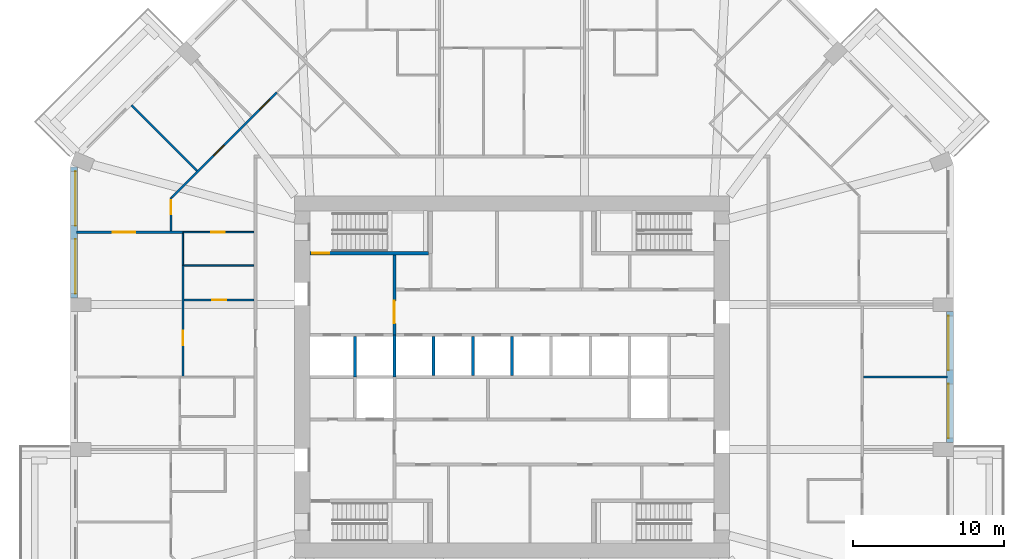
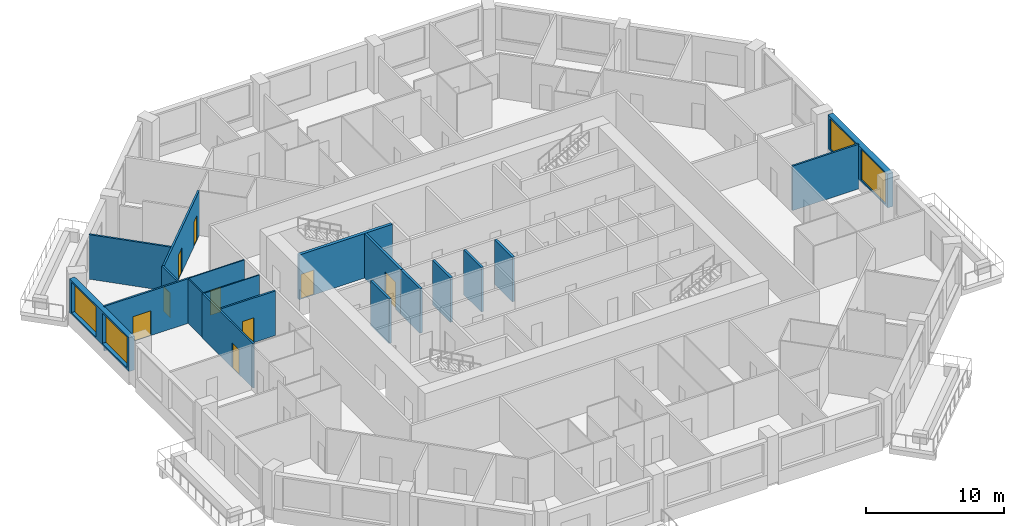
# One storey, part 7 of 13: 19 walls, 9 doors, 4 windows, 13 openings.
"""IFC4 building model written with IfcOpenShell, lengths in metres."""

from ifc_helpers import new_model, si_unit, direction, frame, frame_2d, origin, place, context, subcontext, project, spatial, rectangle, extrude, material, layer, layer_set, type_object, element, fill, save


model = new_model("IFC4")

# Units and contexts
model_context = context("Model", 3, precision=1e-05, world=origin(), true_north=direction((0.0, 1.0)))
body_context = subcontext(model_context, "Body", "Model", "MODEL_VIEW")
ifc_project = project(units=[si_unit("LENGTHUNIT", "METRE"), si_unit("AREAUNIT", "SQUARE_METRE"), si_unit("VOLUMEUNIT", "CUBIC_METRE"), si_unit("PLANEANGLEUNIT", "RADIAN"), si_unit("MASSUNIT", "GRAM", prefix="KILO")], contexts=[model_context])

# Site, building, storey
site_placement = place(None, origin())
site = spatial("IfcSite", under=ifc_project, at=site_placement, CompositionType="ELEMENT")
building_placement = place(site_placement, origin())
building = spatial("IfcBuilding", under=site, at=building_placement, Name="Msitu Wima Residences", CompositionType="ELEMENT")
storey_placement = place(building_placement, frame((0.0, 0.0, 84.300048828125)))
storey = spatial("IfcBuildingStorey", under=building, at=storey_placement, Name="L19", CompositionType="ELEMENT", Elevation=84.300048828125)

# Wall, openings, windows
ifc_material_1 = material(Name="Brick (red buff mix)", Category="masonry")
ifc_layer_1 = layer(ifc_material_1, 0.449951171875)
ifc_layer_set_1 = layer_set([ifc_layer_1], Name="Brick (red buff mix)")
wall_type_1 = type_object("IfcWallType", Name="Brick infill wall BW450", PredefinedType="SOLIDWALL", material=ifc_layer_set_1)
wall_1_placement = place(storey_placement, frame((29.02490234375, -4.35009765625, 0.89990234375), z_axis=(0.0, 0.0, 1.0), x_axis=(0.0, 1.0, 0.0)))
wall_1 = element("IfcWall", 1, at=wall_1_placement, inside=storey, type_object=wall_type_1, Name="Brick infill wall L19 E1", PredefinedType="SOLIDWALL", context=body_context, shape_type="SweptSolid", body=[
    extrude(rectangle(XDim=8.7001953125, YDim=0.449951171875, at=frame_2d((4.35009765625, 0.0))), origin(), (0.0, 0.0, 1.0), 3.0),
])
opening_1_placement = place(wall_1_placement, frame((0.300048828125, 0.0, 0.14990234375)))
opening_1 = element("IfcOpeningElement", 2, at=opening_1_placement, cuts=wall_1, Name="Opening W18-20.002", PredefinedType="OPENING", context=body_context, shape_type="SweptSolid", body=[
    extrude(rectangle(XDim=3.60009765625, YDim=2.699951171875, at=frame_2d((1.800048828125, 1.35009765625))), frame((0.0, 0.23486328125, 0.0), z_axis=(0.0, -1.0, 0.0), x_axis=(1.0, 0.0, 0.0)), (0.0, 0.0, 1.0), 0.469970703125),
])
opening_2_placement = place(wall_1_placement, frame((4.800048828125, 0.0, 0.14990234375)))
opening_2 = element("IfcOpeningElement", 3, at=opening_2_placement, cuts=wall_1, Name="Opening W18-20.003", PredefinedType="OPENING", context=body_context, shape_type="SweptSolid", body=[
    extrude(rectangle(XDim=3.60009765625, YDim=2.699951171875, at=frame_2d((1.800048828125, 1.35009765625))), frame((0.0, 0.23486328125, 0.0), z_axis=(0.0, -1.0, 0.0), x_axis=(1.0, 0.0, 0.0)), (0.0, 0.0, 1.0), 0.469970703125),
])
ifc_material_2 = material(Name="Anodised aluminium, bronze finish, clear low-emissivity double glazing", Category="aluminium")
window_type = type_object("IfcWindowType", Name="Window W3600x2700", PartitioningType="DOUBLE_PANEL_VERTICAL", PredefinedType="WINDOW", material=ifc_material_2)
window_1_placement = place(opening_1_placement, origin())
window_1 = element("IfcWindow", 4, at=window_1_placement, inside=storey, type_object=window_type, Name="Window L19 E1.1", OverallHeight=2.699951171875, OverallWidth=3.60009765625, PartitioningType="SINGLE_PANEL", PredefinedType="WINDOW", context=body_context, shape_type="SweptSolid", body=[
    extrude(rectangle(XDim=3.60009765625, YDim=2.699951171875, at=frame_2d((1.800048828125, 1.35009765625))), frame((0.0, 0.135009765625, 0.0), z_axis=(0.0, -1.0, 0.0), x_axis=(1.0, 0.0, 0.0)), (0.0, 0.0, 1.0), 0.06005859375),
])
fill(opening_1, window_1)
window_2_placement = place(opening_2_placement, origin())
window_2 = element("IfcWindow", 5, at=window_2_placement, inside=storey, type_object=window_type, Name="Window L19 E1.2", OverallHeight=2.699951171875, OverallWidth=3.60009765625, PartitioningType="SINGLE_PANEL", PredefinedType="WINDOW", context=body_context, shape_type="SweptSolid", body=[
    extrude(rectangle(XDim=3.60009765625, YDim=2.699951171875, at=frame_2d((1.800048828125, 1.35009765625))), frame((0.0, 0.135009765625, 0.0), z_axis=(0.0, -1.0, 0.0), x_axis=(1.0, 0.0, 0.0)), (0.0, 0.0, 1.0), 0.06005859375),
])
fill(opening_2, window_2)

wall_2_placement = place(storey_placement, frame((-29.02490234375, 13.912841796875, 0.89990234375), z_axis=(0.0, 0.0, 1.0), x_axis=(0.0, -1.0, 0.0)))
wall_2 = element("IfcWall", 6, at=wall_2_placement, inside=storey, type_object=wall_type_1, Name="Brick infill wall L19 W0", PredefinedType="SOLIDWALL", context=body_context, shape_type="SweptSolid", body=[
    extrude(rectangle(XDim=8.662841796875, YDim=0.449951171875, at=frame_2d((4.33154296875, 0.0))), origin(), (0.0, 0.0, 1.0), 3.0),
])
opening_3_placement = place(wall_2_placement, frame((0.281494140625, 0.0, 0.14990234375)))
opening_3 = element("IfcOpeningElement", 7, at=opening_3_placement, cuts=wall_2, Name="Opening W18-20.029", PredefinedType="OPENING", context=body_context, shape_type="SweptSolid", body=[
    extrude(rectangle(XDim=3.60009765625, YDim=2.699951171875, at=frame_2d((1.800048828125, 1.35009765625))), frame((0.0, 0.23486328125, 0.0), z_axis=(0.0, -1.0, 0.0), x_axis=(1.0, 0.0, 0.0)), (0.0, 0.0, 1.0), 0.469970703125),
])
opening_4_placement = place(wall_2_placement, frame((4.781494140625, 0.0, 0.14990234375)))
opening_4 = element("IfcOpeningElement", 8, at=opening_4_placement, cuts=wall_2, Name="Opening W18-20.030", PredefinedType="OPENING", context=body_context, shape_type="SweptSolid", body=[
    extrude(rectangle(XDim=3.60009765625, YDim=2.699951171875, at=frame_2d((1.800048828125, 1.35009765625))), frame((0.0, 0.23486328125, 0.0), z_axis=(0.0, -1.0, 0.0), x_axis=(1.0, 0.0, 0.0)), (0.0, 0.0, 1.0), 0.469970703125),
])
window_3_placement = place(opening_3_placement, origin())
window_3 = element("IfcWindow", 9, at=window_3_placement, inside=storey, type_object=window_type, Name="Window L19 W0.1", OverallHeight=2.699951171875, OverallWidth=3.60009765625, PartitioningType="SINGLE_PANEL", PredefinedType="WINDOW", context=body_context, shape_type="SweptSolid", body=[
    extrude(rectangle(XDim=3.60009765625, YDim=2.699951171875, at=frame_2d((1.800048828125, 1.35009765625))), frame((0.0, 0.135009765625, 0.0), z_axis=(0.0, -1.0, 0.0), x_axis=(1.0, 0.0, 0.0)), (0.0, 0.0, 1.0), 0.06005859375),
])
fill(opening_3, window_3)
window_4_placement = place(opening_4_placement, origin())
window_4 = element("IfcWindow", 10, at=window_4_placement, inside=storey, type_object=window_type, Name="Window L19 W0.2", OverallHeight=2.699951171875, OverallWidth=3.60009765625, PartitioningType="SINGLE_PANEL", PredefinedType="WINDOW", context=body_context, shape_type="SweptSolid", body=[
    extrude(rectangle(XDim=3.60009765625, YDim=2.699951171875, at=frame_2d((1.800048828125, 1.35009765625))), frame((0.0, 0.135009765625, 0.0), z_axis=(0.0, -1.0, 0.0), x_axis=(1.0, 0.0, 0.0)), (0.0, 0.0, 1.0), 0.06005859375),
])
fill(opening_4, window_4)

# Wall, opening, door
ifc_material_3 = material(Name="Plaster")
ifc_layer_2 = layer(ifc_material_3, 0.011962890625, Name="Plaster")
ifc_material_4 = material(Name="Concrete blockwork", Category="masonry")
ifc_layer_3 = layer(ifc_material_4, 0.176025390625, Name="Concrete blockwork")
ifc_layer_4 = layer(ifc_material_3, 0.011962890625, Name="Plaster")
ifc_layer_set_2 = layer_set([ifc_layer_2, ifc_layer_3, ifc_layer_4], Name="Concrete blockwork")
wall_type_2 = type_object("IfcWallType", Name="Corridor wall FW200", PredefinedType="PARTITIONING", material=ifc_layer_set_2)
wall_3_placement = place(storey_placement, frame((-7.800048828125, 2.800048828125, 0.0), z_axis=(0.0, 0.0, 1.0), x_axis=(0.0, 1.0, 0.0)))
wall_3 = element("IfcWall", 11, at=wall_3_placement, inside=storey, type_object=wall_type_2, Name="Corridor wall", PredefinedType="PARTITIONING", context=body_context, shape_type="SweptSolid", body=[
    extrude(rectangle(XDim=5.27490234375, YDim=0.199951171875, at=frame_2d((2.637451171875, 0.0))), origin(), (0.0, 0.0, 1.0), 3.949951171875),
])
opening_5_placement = place(wall_3_placement, frame((0.75, 0.0, 0.0)))
opening_5 = element("IfcOpeningElement", 12, at=opening_5_placement, cuts=wall_3, Name="Opening D18-20.013", PredefinedType="OPENING", context=body_context, shape_type="SweptSolid", body=[
    extrude(rectangle(XDim=1.5, YDim=2.39990234375, at=frame_2d((0.75, 1.199951171875))), frame((0.0, 0.10986328125, 0.0), z_axis=(0.0, -1.0, 0.0), x_axis=(1.0, 0.0, 0.0)), (0.0, 0.0, 1.0), 0.219970703125),
])
ifc_material_5 = material(Name="Steel framed glazed door, fire resisting", Category="steel")
door_type_1 = type_object("IfcDoorType", Name="Lobby door D07 1500x2400", OperationType="DOUBLE_DOOR_SINGLE_SWING", PredefinedType="DOOR", material=ifc_material_5)
door_1_placement = place(opening_5_placement, origin())
door_1 = element("IfcDoor", 13, at=door_1_placement, inside=storey, type_object=door_type_1, Name="Lobby door", OperationType="DOUBLE_DOOR_SINGLE_SWING", OverallHeight=2.39990234375, OverallWidth=1.5, PredefinedType="DOOR", context=body_context, shape_type="SweptSolid", body=[
    extrude(rectangle(XDim=1.5, YDim=2.39990234375, at=frame_2d((0.75, 1.199951171875))), frame((0.0, 0.02490234375, 0.0), z_axis=(0.0, -1.0, 0.0), x_axis=(1.0, 0.0, 0.0)), (0.0, 0.0, 1.0), 0.050048828125),
])
fill(opening_5, door_1)

ifc_layer_5 = layer(ifc_material_3, 0.011962890625, Name="Plaster")
ifc_layer_6 = layer(ifc_material_4, 0.1259765625, Name="Concrete blockwork")
ifc_layer_7 = layer(ifc_material_3, 0.011962890625, Name="Plaster")
ifc_layer_set_3 = layer_set([ifc_layer_5, ifc_layer_6, ifc_layer_7], Name="Concrete blockwork")
wall_type_3 = type_object("IfcWallType", Name="Partition PW150", PredefinedType="PARTITIONING", material=ifc_layer_set_3)
wall_4_placement = place(storey_placement, frame((-28.85498046875, 9.60009765625, 0.0), z_axis=(0.0, 0.0, 1.0), x_axis=(1.0, 0.0, 0.0)))
wall_4 = element("IfcWall", 14, at=wall_4_placement, inside=storey, type_object=wall_type_3, Name="Partition", PredefinedType="PARTITIONING", context=body_context, shape_type="SweptSolid", body=[
    extrude(rectangle(XDim=7.074951171875, YDim=0.14990234375, at=frame_2d((3.53759765625, 0.0))), origin(), (0.0, 0.0, 1.0), 3.949951171875),
])
opening_6_placement = place(wall_4_placement, frame((2.39990234375, 0.0, 0.0)))
opening_6 = element("IfcOpeningElement", 15, at=opening_6_placement, cuts=wall_4, Name="Opening D18-20.047", PredefinedType="OPENING", context=body_context, shape_type="SweptSolid", body=[
    extrude(rectangle(XDim=1.5, YDim=2.199951171875, at=frame_2d((0.75, 1.10009765625))), frame((0.0, 0.0849609375, 0.0), z_axis=(0.0, -1.0, 0.0), x_axis=(1.0, 0.0, 0.0)), (0.0, 0.0, 1.0), 0.169921875),
])
ifc_material_6 = material(Name="Timber double door", Category="wood")
door_type_2 = type_object("IfcDoorType", Name="Double door D04 1500x2200", OperationType="DOUBLE_DOOR_SINGLE_SWING", PredefinedType="DOOR", material=ifc_material_6)
door_2_placement = place(opening_6_placement, origin())
door_2 = element("IfcDoor", 16, at=door_2_placement, inside=storey, type_object=door_type_2, Name="Double door", OperationType="DOUBLE_DOOR_SINGLE_SWING", OverallHeight=2.199951171875, OverallWidth=1.5, PredefinedType="DOOR", context=body_context, shape_type="SweptSolid", body=[
    extrude(rectangle(XDim=1.5, YDim=2.199951171875, at=frame_2d((0.75, 1.10009765625))), frame((0.0, 0.02490234375, 0.0), z_axis=(0.0, -1.0, 0.0), x_axis=(1.0, 0.0, 0.0)), (0.0, 0.0, 1.0), 0.050048828125),
])
fill(opening_6, door_2)

# Wall
wall_5_placement = place(storey_placement, frame((-25.2177734375, 18.017578125, 0.0), z_axis=(0.0, 0.0, 1.0), x_axis=(0.707126629519, -0.707086932297, 0.0)))
element("IfcWall", 17, at=wall_5_placement, inside=storey, type_object=wall_type_3, Name="Partition", PredefinedType="PARTITIONING", context=body_context, shape_type="SweptSolid", body=[
    extrude(rectangle(XDim=6.150146484375, YDim=0.14990234375, at=frame_2d((3.0751953125, 0.0))), origin(), (0.0, 0.0, 1.0), 3.949951171875),
])

# Wall, opening, door
wall_6_placement = place(storey_placement, frame((-22.60009765625, 9.675048828125, 0.0), z_axis=(0.0, 0.0, 1.0), x_axis=(0.0, 1.0, 0.0)))
wall_6 = element("IfcWall", 18, at=wall_6_placement, inside=storey, type_object=wall_type_3, Name="Partition", PredefinedType="PARTITIONING", context=body_context, shape_type="SweptSolid", body=[
    extrude(rectangle(XDim=2.23193359375, YDim=0.14990234375, at=frame_2d((1.115966796875, 0.0))), origin(), (0.0, 0.0, 1.0), 3.949951171875),
])
opening_7_placement = place(wall_6_placement, frame((1.10009765625, 0.0, 0.0)))
opening_7 = element("IfcOpeningElement", 19, at=opening_7_placement, cuts=wall_6, Name="Opening D18-20.049", PredefinedType="OPENING", context=body_context, shape_type="SweptSolid", body=[
    extrude(rectangle(XDim=0.949951171875, YDim=2.199951171875, at=frame_2d((0.47509765625, 1.10009765625))), frame((0.0, 0.0849609375, 0.0), z_axis=(0.0, -1.0, 0.0), x_axis=(1.0, 0.0, 0.0)), (0.0, 0.0, 1.0), 0.169921875),
])
ifc_material_7 = material(Name="Timber flush door", Category="wood")
door_type_3 = type_object("IfcDoorType", Name="Room door D12 950x2200", OperationType="SINGLE_SWING_LEFT", PredefinedType="DOOR", material=ifc_material_7)
door_3_placement = place(opening_7_placement, origin())
door_3 = element("IfcDoor", 20, at=door_3_placement, inside=storey, type_object=door_type_3, Name="Room door", OperationType="SINGLE_SWING_LEFT", OverallHeight=2.199951171875, OverallWidth=0.949951171875, PredefinedType="DOOR", context=body_context, shape_type="SweptSolid", body=[
    extrude(rectangle(XDim=0.949951171875, YDim=2.199951171875, at=frame_2d((0.47509765625, 1.10009765625))), frame((0.0, 0.02490234375, 0.0), z_axis=(0.0, -1.0, 0.0), x_axis=(1.0, 0.0, 0.0)), (0.0, 0.0, 1.0), 0.050048828125),
])
fill(opening_7, door_3)

# Wall, openings, doors
wall_7_placement = place(storey_placement, frame((-22.546875, 11.885009765625, 0.0), z_axis=(0.0, 0.0, 1.0), x_axis=(0.707106781187, 0.707106781187, 0.0)))
wall_7 = element("IfcWall", 21, at=wall_7_placement, inside=storey, type_object=wall_type_3, Name="Partition", PredefinedType="PARTITIONING", context=body_context, shape_type="SweptSolid", body=[
    extrude(rectangle(XDim=9.85009765625, YDim=0.14990234375, at=frame_2d((4.925048828125, 0.0))), origin(), (0.0, 0.0, 1.0), 3.949951171875),
])
opening_8_placement = place(wall_7_placement, frame((3.949951171875, 0.0, 0.0)))
opening_8 = element("IfcOpeningElement", 22, at=opening_8_placement, cuts=wall_7, Name="Opening D18-20.050", PredefinedType="OPENING", context=body_context, shape_type="SweptSolid", body=[
    extrude(rectangle(XDim=0.949951171875, YDim=2.199951171875, at=frame_2d((0.47509765625, 1.10009765625))), frame((0.0, 0.0849609375, 0.0), z_axis=(0.0, -1.0, 0.0), x_axis=(1.0, 0.0, 0.0)), (0.0, 0.0, 1.0), 0.169921875),
])
opening_9_placement = place(wall_7_placement, frame((8.25, 0.0, 0.0)))
opening_9 = element("IfcOpeningElement", 23, at=opening_9_placement, cuts=wall_7, Name="Opening D18-20.051", PredefinedType="OPENING", context=body_context, shape_type="SweptSolid", body=[
    extrude(rectangle(XDim=0.949951171875, YDim=2.199951171875, at=frame_2d((0.47509765625, 1.10009765625))), frame((0.0, 0.0849609375, 0.0), z_axis=(0.0, -1.0, 0.0), x_axis=(1.0, 0.0, 0.0)), (0.0, 0.0, 1.0), 0.169921875),
])
door_4_placement = place(opening_8_placement, origin())
door_4 = element("IfcDoor", 24, at=door_4_placement, inside=storey, type_object=door_type_3, Name="Room door", OperationType="SINGLE_SWING_LEFT", OverallHeight=2.199951171875, OverallWidth=0.949951171875, PredefinedType="DOOR", context=body_context, shape_type="SweptSolid", body=[
    extrude(rectangle(XDim=0.949951171875, YDim=2.199951171875, at=frame_2d((0.47509765625, 1.10009765625))), frame((0.0, 0.02490234375, 0.0), z_axis=(0.0, -1.0, 0.0), x_axis=(1.0, 0.0, 0.0)), (0.0, 0.0, 1.0), 0.050048828125),
])
fill(opening_8, door_4)
door_5_placement = place(opening_9_placement, origin())
door_5 = element("IfcDoor", 25, at=door_5_placement, inside=storey, type_object=door_type_3, Name="Room door", OperationType="SINGLE_SWING_LEFT", OverallHeight=2.199951171875, OverallWidth=0.949951171875, PredefinedType="DOOR", context=body_context, shape_type="SweptSolid", body=[
    extrude(rectangle(XDim=0.949951171875, YDim=2.199951171875, at=frame_2d((0.47509765625, 1.10009765625))), frame((0.0, 0.02490234375, 0.0), z_axis=(0.0, -1.0, 0.0), x_axis=(1.0, 0.0, 0.0)), (0.0, 0.0, 1.0), 0.050048828125),
])
fill(opening_9, door_5)

# Wall, opening, door
wall_8_placement = place(storey_placement, frame((-21.800048828125, 0.050048828125, 0.0), z_axis=(0.0, 0.0, 1.0), x_axis=(0.0, 1.0, 0.0)))
wall_8 = element("IfcWall", 26, at=wall_8_placement, inside=storey, type_object=wall_type_3, Name="Partition", PredefinedType="PARTITIONING", context=body_context, shape_type="SweptSolid", body=[
    extrude(rectangle(XDim=7.369873046875, YDim=0.14990234375, at=frame_2d((3.68505859375, 0.0))), origin(), (0.0, 0.0, 1.0), 3.949951171875),
])
opening_10_placement = place(wall_8_placement, frame((2.050048828125, 0.0, 0.0)))
opening_10 = element("IfcOpeningElement", 27, at=opening_10_placement, cuts=wall_8, Name="Opening D18-20.045", PredefinedType="OPENING", context=body_context, shape_type="SweptSolid", body=[
    extrude(rectangle(XDim=0.949951171875, YDim=2.199951171875, at=frame_2d((0.47509765625, 1.10009765625))), frame((0.0, 0.0849609375, 0.0), z_axis=(0.0, -1.0, 0.0), x_axis=(1.0, 0.0, 0.0)), (0.0, 0.0, 1.0), 0.169921875),
])
door_6_placement = place(opening_10_placement, origin())
door_6 = element("IfcDoor", 28, at=door_6_placement, inside=storey, type_object=door_type_3, Name="Room door", OperationType="SINGLE_SWING_LEFT", OverallHeight=2.199951171875, OverallWidth=0.949951171875, PredefinedType="DOOR", context=body_context, shape_type="SweptSolid", body=[
    extrude(rectangle(XDim=0.949951171875, YDim=2.199951171875, at=frame_2d((0.47509765625, 1.10009765625))), frame((0.0, 0.02490234375, 0.0), z_axis=(0.0, -1.0, 0.0), x_axis=(1.0, 0.0, 0.0)), (0.0, 0.0, 1.0), 0.050048828125),
])
fill(opening_10, door_6)

wall_9_placement = place(storey_placement, frame((-21.72509765625, 5.10009765625, 0.0), z_axis=(0.0, 0.0, 1.0), x_axis=(1.0, 0.0, 0.0)))
wall_9 = element("IfcWall", 29, at=wall_9_placement, inside=storey, type_object=wall_type_3, Name="Partition", PredefinedType="PARTITIONING", context=body_context, shape_type="SweptSolid", body=[
    extrude(rectangle(XDim=4.625, YDim=0.14990234375, at=frame_2d((2.3125, 0.0))), origin(), (0.0, 0.0, 1.0), 3.949951171875),
])
opening_11_placement = place(wall_9_placement, frame((1.85009765625, 0.0, 0.0)))
opening_11 = element("IfcOpeningElement", 30, at=opening_11_placement, cuts=wall_9, Name="Opening D18-20.046", PredefinedType="OPENING", context=body_context, shape_type="SweptSolid", body=[
    extrude(rectangle(XDim=0.949951171875, YDim=2.199951171875, at=frame_2d((0.47509765625, 1.10009765625))), frame((0.0, 0.0849609375, 0.0), z_axis=(0.0, -1.0, 0.0), x_axis=(1.0, 0.0, 0.0)), (0.0, 0.0, 1.0), 0.169921875),
])
door_7_placement = place(opening_11_placement, origin())
door_7 = element("IfcDoor", 31, at=door_7_placement, inside=storey, type_object=door_type_3, Name="Room door", OperationType="SINGLE_SWING_RIGHT", OverallHeight=2.199951171875, OverallWidth=0.949951171875, PredefinedType="DOOR", context=body_context, shape_type="SweptSolid", body=[
    extrude(rectangle(XDim=0.949951171875, YDim=2.199951171875, at=frame_2d((0.47509765625, 1.10009765625))), frame((0.0, 0.02490234375, 0.0), z_axis=(0.0, -1.0, 0.0), x_axis=(1.0, 0.0, 0.0)), (0.0, 0.0, 1.0), 0.050048828125),
])
fill(opening_11, door_7)

# Walls
wall_10_placement = place(storey_placement, frame((23.27490234375, 0.0, 0.0), z_axis=(0.0, 0.0, 1.0), x_axis=(1.0, 0.0, 0.0)))
element("IfcWall", 32, at=wall_10_placement, inside=storey, type_object=wall_type_3, Name="Partition", PredefinedType="PARTITIONING", context=body_context, shape_type="SweptSolid", body=[
    extrude(rectangle(XDim=5.580078125, YDim=0.14990234375, at=frame_2d((2.7900390625, 0.0))), origin(), (0.0, 0.0, 1.0), 3.949951171875),
])
ifc_material_8 = material(Name="Fire-rated board")
ifc_layer_8 = layer(ifc_material_8, 0.02490234375, Name="Fire-rated board")
ifc_material_9 = material(Name="Light-gauge stud framing with mineral wool")
ifc_layer_9 = layer(ifc_material_9, 0.14990234375, Name="Light-gauge stud framing with mineral wool")
ifc_layer_10 = layer(ifc_material_8, 0.02490234375, Name="Fire-rated board")
ifc_layer_set_4 = layer_set([ifc_layer_8, ifc_layer_9, ifc_layer_10], Name="Light-gauge stud framing with mineral wool")
wall_type_4 = type_object("IfcWallType", Name="Shaft wall SH200", PredefinedType="PARTITIONING", material=ifc_layer_set_4)
wall_11_placement = place(storey_placement, frame((-10.39990234375, 0.0, 0.0), z_axis=(0.0, 0.0, 1.0), x_axis=(0.0, 1.0, 0.0)))
element("IfcWall", 33, at=wall_11_placement, inside=storey, type_object=wall_type_4, Name="Shaft wall", PredefinedType="PARTITIONING", context=body_context, shape_type="SweptSolid", body=[
    extrude(rectangle(XDim=2.699951171875, YDim=0.199951171875, at=frame_2d((1.35009765625, 0.0))), origin(), (0.0, 0.0, 1.0), 3.949951171875),
])
wall_12_placement = place(storey_placement, frame((-7.800048828125, 0.0, 0.0), z_axis=(0.0, 0.0, 1.0), x_axis=(0.0, 1.0, 0.0)))
element("IfcWall", 34, at=wall_12_placement, inside=storey, type_object=wall_type_4, Name="Shaft wall", PredefinedType="PARTITIONING", context=body_context, shape_type="SweptSolid", body=[
    extrude(rectangle(XDim=2.800048828125, YDim=0.199951171875, at=frame_2d((1.39990234375, 0.0))), origin(), (0.0, 0.0, 1.0), 3.949951171875),
])
for number, where, z_axis, x_axis, name in (
    (35, (-5.199951171875, 0.10009765625, 0.0), (0.0, 0.0, 1.0), (0.0, 1.0, 0.0), "Shaft wall"),
    (36, (-2.60009765625, 0.10009765625, 0.0), (0.0, 0.0, 1.0), (0.0, 1.0, 0.0), "Shaft wall"),
    (37, (0.0, 0.10009765625, 0.0), (0.0, 0.0, 1.0), (0.0, 1.0, 0.0), "Shaft wall"),
):
    element("IfcWall", number, at=place(storey_placement, frame(where, z_axis=z_axis, x_axis=x_axis)), inside=storey, type_object=wall_type_4, Name=name, PredefinedType="PARTITIONING", context=body_context, shape_type="SweptSolid", body=[
        extrude(rectangle(XDim=2.599853515625, YDim=0.199951171875, at=frame_2d((1.2998046875, 0.0))), origin(), (0.0, 0.0, 1.0), 3.949951171875),
    ])

# Wall, opening, door
ifc_material_10 = material(Name="Concrete C50/60", Category="concrete")
ifc_layer_11 = layer(ifc_material_10, 0.25)
ifc_layer_set_5 = layer_set([ifc_layer_11], Name="Concrete C50/60")
wall_type_5 = type_object("IfcWallType", Name="Stair enclosure wall SW250", PredefinedType="SHEAR", material=ifc_layer_set_5)
wall_13_placement = place(storey_placement, frame((-13.3701171875, 8.199951171875, 0.0), z_axis=(0.0, 0.0, 1.0), x_axis=(1.0, 0.0, 0.0)))
wall_13 = element("IfcWall", 38, at=wall_13_placement, inside=storey, type_object=wall_type_5, Name="Stair enclosure wall", PredefinedType="SHEAR", context=body_context, shape_type="SweptSolid", body=[
    extrude(rectangle(XDim=7.84521484375, YDim=0.25, at=frame_2d((3.922607421875, 0.0))), origin(), (0.0, 0.0, 1.0), 3.949951171875),
])
opening_12_placement = place(wall_13_placement, frame((0.14990234375, 0.0, 0.0)))
opening_12 = element("IfcOpeningElement", 39, at=opening_12_placement, cuts=wall_13, Name="Opening D18-20.032", PredefinedType="OPENING", context=body_context, shape_type="SweptSolid", body=[
    extrude(rectangle(XDim=1.10009765625, YDim=2.199951171875, at=frame_2d((0.550048828125, 1.10009765625))), frame((0.0, 0.135009765625, 0.0), z_axis=(0.0, -1.0, 0.0), x_axis=(1.0, 0.0, 0.0)), (0.0, 0.0, 1.0), 0.27001953125),
])
ifc_material_11 = material(Name="Steel door, fire resisting, panic bar", Category="steel")
door_type_4 = type_object("IfcDoorType", Name="Stair door D06 1100x2200", OperationType="SINGLE_SWING_LEFT", PredefinedType="DOOR", material=ifc_material_11)
door_8_placement = place(opening_12_placement, origin())
door_8 = element("IfcDoor", 40, at=door_8_placement, inside=storey, type_object=door_type_4, Name="Stair door", OperationType="SINGLE_SWING_LEFT", OverallHeight=2.199951171875, OverallWidth=1.10009765625, PredefinedType="DOOR", context=body_context, shape_type="SweptSolid", body=[
    extrude(rectangle(XDim=1.10009765625, YDim=2.199951171875, at=frame_2d((0.550048828125, 1.10009765625))), frame((0.0, 0.02490234375, 0.0), z_axis=(0.0, -1.0, 0.0), x_axis=(1.0, 0.0, 0.0)), (0.0, 0.0, 1.0), 0.050048828125),
])
fill(opening_12, door_8)

ifc_material_12 = material(Name="Ceramic tiles")
ifc_layer_12 = layer(ifc_material_12, 0.008056640625, Name="Ceramic tiles")
ifc_material_13 = material(Name="Moisture-resistant board")
ifc_layer_13 = layer(ifc_material_13, 0.012451171875, Name="Moisture-resistant board")
ifc_layer_14 = layer(ifc_material_9, 0.06689453125, Name="Light-gauge stud framing with mineral wool")
ifc_layer_15 = layer(ifc_material_13, 0.012451171875, Name="Moisture-resistant board")
ifc_layer_set_6 = layer_set([ifc_layer_12, ifc_layer_13, ifc_layer_14, ifc_layer_15], Name="Light-gauge stud framing with mineral wool")
wall_type_6 = type_object("IfcWallType", Name="Wet wall PW100", PredefinedType="PARTITIONING", material=ifc_layer_set_6)
wall_14_placement = place(storey_placement, frame((-21.780029296875, 9.60009765625, 0.0), z_axis=(0.0, 0.0, 1.0), x_axis=(1.0, 0.0, 0.0)))
wall_14 = element("IfcWall", 41, at=wall_14_placement, inside=storey, type_object=wall_type_6, Name="Wet wall", PredefinedType="PARTITIONING", context=body_context, shape_type="SweptSolid", body=[
    extrude(rectangle(XDim=4.679931640625, YDim=0.10009765625, at=frame_2d((2.33984375, 0.0))), origin(), (0.0, 0.0, 1.0), 3.949951171875),
])
opening_13_placement = place(wall_14_placement, frame((1.85009765625, 0.0, 0.0)))
opening_13 = element("IfcOpeningElement", 42, at=opening_13_placement, cuts=wall_14, Name="Opening D18-20.053", PredefinedType="OPENING", context=body_context, shape_type="SweptSolid", body=[
    extrude(rectangle(XDim=0.89990234375, YDim=2.199951171875, at=frame_2d((0.449951171875, 1.10009765625))), frame((0.0, 0.06005859375, 0.0), z_axis=(0.0, -1.0, 0.0), x_axis=(1.0, 0.0, 0.0)), (0.0, 0.0, 1.0), 0.1201171875),
])
ifc_material_14 = material(Name="Timber flush door, moisture resistant", Category="wood")
door_type_5 = type_object("IfcDoorType", Name="Bathroom door D03 900x2200", OperationType="SINGLE_SWING_LEFT", PredefinedType="DOOR", material=ifc_material_14)
door_9_placement = place(opening_13_placement, origin())
door_9 = element("IfcDoor", 43, at=door_9_placement, inside=storey, type_object=door_type_5, Name="Bathroom door", OperationType="SINGLE_SWING_RIGHT", OverallHeight=2.199951171875, OverallWidth=0.89990234375, PredefinedType="DOOR", context=body_context, shape_type="SweptSolid", body=[
    extrude(rectangle(XDim=0.89990234375, YDim=2.199951171875, at=frame_2d((0.449951171875, 1.10009765625))), frame((0.0, 0.02490234375, 0.0), z_axis=(0.0, -1.0, 0.0), x_axis=(1.0, 0.0, 0.0)), (0.0, 0.0, 1.0), 0.050048828125),
])
fill(opening_13, door_9)

# Walls
wall_15_placement = place(storey_placement, frame((-21.800048828125, 7.419921875, 0.0), z_axis=(0.0, 0.0, 1.0), x_axis=(0.0, 1.0, 0.0)))
element("IfcWall", 44, at=wall_15_placement, inside=storey, type_object=wall_type_6, Name="Wet wall", PredefinedType="PARTITIONING", context=body_context, shape_type="SweptSolid", body=[
    extrude(rectangle(XDim=2.10498046875, YDim=0.10009765625, at=frame_2d((1.052490234375, 0.0))), origin(), (0.0, 0.0, 1.0), 3.949951171875),
])
wall_16_placement = place(storey_placement, frame((-21.72509765625, 7.39990234375, 0.0), z_axis=(0.0, 0.0, 1.0), x_axis=(1.0, 0.0, 0.0)))
element("IfcWall", 45, at=wall_16_placement, inside=storey, type_object=wall_type_6, Name="Wet wall", PredefinedType="PARTITIONING", context=body_context, shape_type="SweptSolid", body=[
    extrude(rectangle(XDim=4.625, YDim=0.10009765625, at=frame_2d((2.3125, 0.0))), origin(), (0.0, 0.0, 1.0), 3.949951171875),
])

save(model, "model.ifc")
